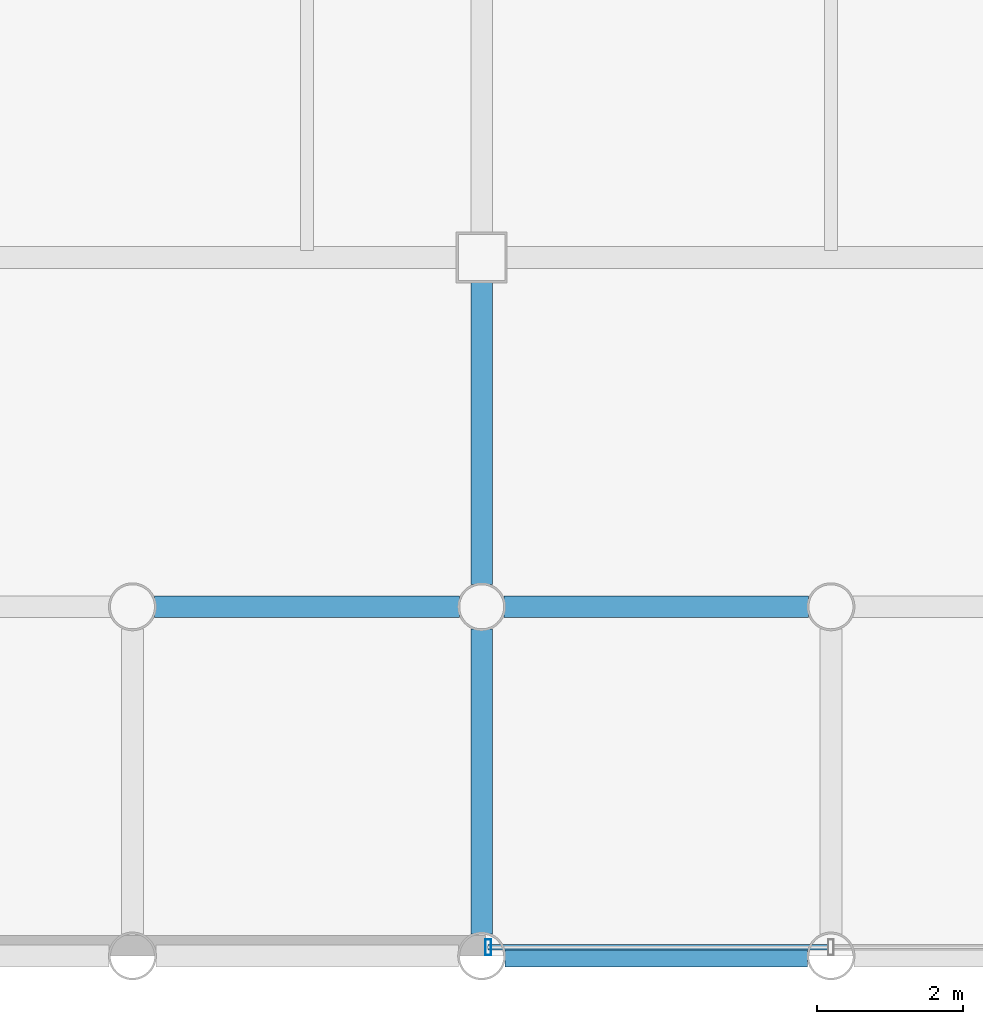
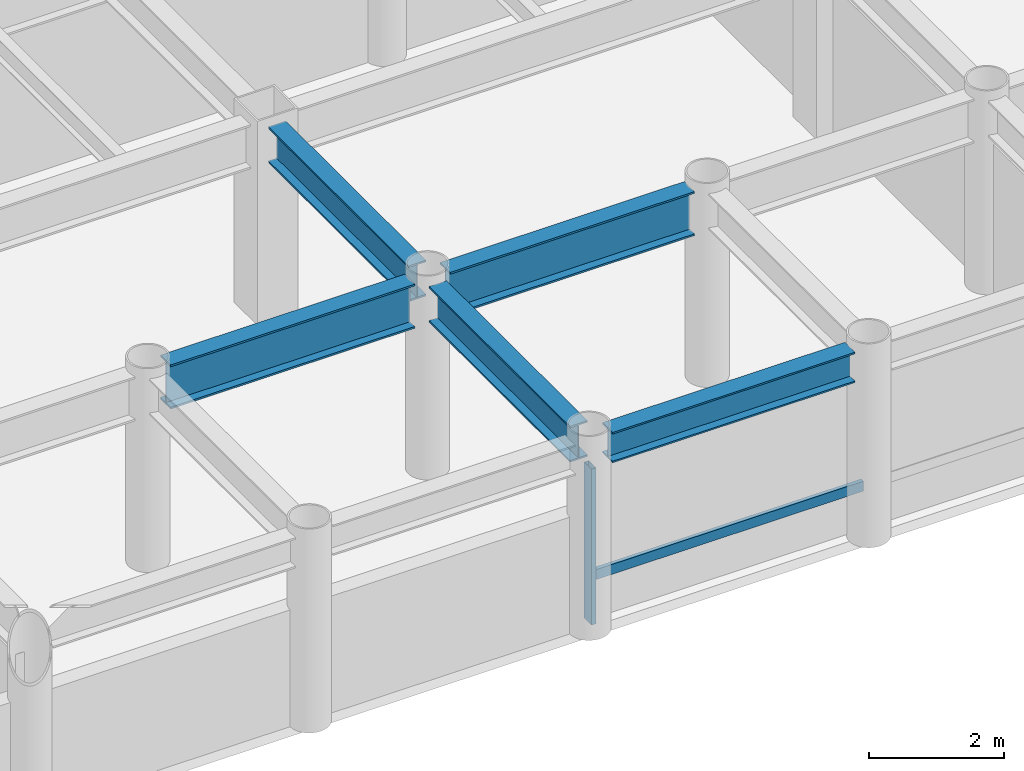
# One storey, part 2 of 19: 5 beams, 2 members, 1 element without a shape of its own.
"""IFC4 building model written with IfcOpenShell, lengths in metres."""

from ifc_helpers import new_model, si_unit, direction, frame, origin, origin_2d, place, context, subcontext, project, spatial, hollow_rectangle, i_section, extrude, material, layer, layer_set, material_profile, profile_set, type_object, element, aggregate, save


model = new_model("IFC4")

# Units and contexts
model_context = context("Model", 3, precision=1e-05, world=origin(), true_north=direction((0.0, 1.0)))
body_context = subcontext(model_context, "Body", "Model", "MODEL_VIEW")
ifc_project = project(units=[si_unit("LENGTHUNIT", "METRE"), si_unit("AREAUNIT", "SQUARE_METRE"), si_unit("VOLUMEUNIT", "CUBIC_METRE"), si_unit("PLANEANGLEUNIT", "RADIAN"), si_unit("MASSUNIT", "GRAM", prefix="KILO")], contexts=[model_context])

# Site, building, storey
site_placement = place(None, origin())
site = spatial("IfcSite", under=ifc_project, at=site_placement, CompositionType="ELEMENT")
building_placement = place(site_placement, origin())
building = spatial("IfcBuilding", under=site, at=building_placement, Name="Kallvorn Hotel Tower", CompositionType="ELEMENT")
storey_placement = place(building_placement, frame((0.0, 0.0, 165.5)))
storey = spatial("IfcBuildingStorey", under=building, at=storey_placement, Name="L41", CompositionType="ELEMENT", Elevation=165.5)

# Beams
ifc_material_1 = material(Name="Structural steel S355JR", Category="steel")
ifc_material_profile_1 = material_profile(ifc_material_1, i_section(OverallWidth=0.300048828125, OverallDepth=0.550048828125, WebThickness=0.014892578125, FlangeThickness=0.029052734375, at=origin_2d()), Name="HE 550 B")
ifc_profile_set_1 = profile_set([ifc_material_profile_1], Name="Structural steel S355JR")
beam_type_1 = type_object("IfcBeamType", Name="BM_HE550B", PredefinedType="SPANDREL", material=ifc_profile_set_1)
beam_1_placement = place(storey_placement, frame((-4.47998046875, -24.0, 3.2451171875), z_axis=(1.0, 0.0, 0.0), x_axis=(0.0, 1.0, 0.0)))
element("IfcBeam", 1, at=beam_1_placement, inside=storey, type_object=beam_type_1, Name="L42 Perimeter Spandrel 156", PredefinedType="SPANDREL", context=body_context, shape_type="SweptSolid", body=[
    extrude(i_section(OverallWidth=0.300048828125, OverallDepth=0.550048828125, WebThickness=0.014892578125, FlangeThickness=0.029052734375, at=origin_2d()), origin(), (0.0, 0.0, 1.0), 4.159912109375),
])
ifc_material_2 = material(Name="Structural steel S355JR", Category="steel")
ifc_material_profile_2 = material_profile(ifc_material_2, i_section(OverallWidth=0.300048828125, OverallDepth=0.64990234375, WebThickness=0.01611328125, FlangeThickness=0.031005859375, at=origin_2d()), Name="HE 650 B")
ifc_profile_set_2 = profile_set([ifc_material_profile_2], Name="Structural steel S355JR")
beam_type_2 = type_object("IfcBeamType", Name="BM_HE650B", PredefinedType="BEAM", material=ifc_profile_set_2)
beam_2_placement = place(storey_placement, frame((-4.800048828125, -23.695068359375, 3.195068359375), z_axis=(0.0, 1.0, 0.0), x_axis=(-1.0, 0.0, 0.0)))
element("IfcBeam", 2, at=beam_2_placement, inside=storey, type_object=beam_type_2, Name="L42 Primary Y-Girder 106", PredefinedType="BEAM", context=body_context, shape_type="SweptSolid", body=[
    extrude(i_section(OverallWidth=0.300048828125, OverallDepth=0.64990234375, WebThickness=0.01611328125, FlangeThickness=0.031005859375, at=origin_2d()), origin(), (0.0, 0.0, 1.0), 4.190185546875),
])
beam_3_placement = place(storey_placement, frame((-4.800048828125, -18.89501953125, 3.195068359375), z_axis=(0.0, 1.0, 0.0), x_axis=(-1.0, 0.0, 0.0)))
element("IfcBeam", 3, at=beam_3_placement, inside=storey, type_object=beam_type_2, Name="L42 Primary Y-Girder 107", PredefinedType="BEAM", context=body_context, shape_type="SweptSolid", body=[
    extrude(i_section(OverallWidth=0.300048828125, OverallDepth=0.64990234375, WebThickness=0.01611328125, FlangeThickness=0.031005859375, at=origin_2d()), origin(), (0.0, 0.0, 1.0), 4.169921875),
])
ifc_material_3 = material(Name="Structural steel S355JR", Category="steel")
ifc_material_profile_3 = material_profile(ifc_material_3, i_section(OverallWidth=0.300048828125, OverallDepth=0.800048828125, WebThickness=0.017578125, FlangeThickness=0.032958984375, at=origin_2d()), Name="HE 800 B")
ifc_profile_set_3 = profile_set([ifc_material_profile_3], Name="Structural steel S355JR")
beam_type_3 = type_object("IfcBeamType", Name="BM_HE800B", PredefinedType="BEAM", material=ifc_profile_set_3)
beam_4_placement = place(storey_placement, frame((-9.294921875, -19.199951171875, 3.1201171875), z_axis=(1.0, 0.0, 0.0), x_axis=(0.0, 1.0, 0.0)))
element("IfcBeam", 4, at=beam_4_placement, inside=storey, type_object=beam_type_3, Name="L42 Primary X-Girder 06", PredefinedType="BEAM", context=body_context, shape_type="SweptSolid", body=[
    extrude(i_section(OverallWidth=0.300048828125, OverallDepth=0.800048828125, WebThickness=0.017578125, FlangeThickness=0.032958984375, at=origin_2d()), origin(), (0.0, 0.0, 1.0), 4.18994140625),
])
beam_5_placement = place(storey_placement, frame((-4.4951171875, -19.199951171875, 3.1201171875), z_axis=(1.0, 0.0, 0.0), x_axis=(0.0, 1.0, 0.0)))
element("IfcBeam", 5, at=beam_5_placement, inside=storey, type_object=beam_type_3, Name="L42 Primary X-Girder 07", PredefinedType="BEAM", context=body_context, shape_type="SweptSolid", body=[
    extrude(i_section(OverallWidth=0.300048828125, OverallDepth=0.800048828125, WebThickness=0.017578125, FlangeThickness=0.032958984375, at=origin_2d()), origin(), (0.0, 0.0, 1.0), 4.190185546875),
])

# Curtain wall, members
ifc_material_4 = material(Name="Thermally broken black-anodised aluminium AA 6063-T6", Category="aluminium")
ifc_layer = layer(ifc_material_4, 0.2099609375)
ifc_layer_set = layer_set([ifc_layer], Name="CW_SYS_4_HOTEL_MID")
curtain_wall_type = type_object("IfcCurtainWallType", Name="CW_SYS_4_HOTEL_MID", PredefinedType="USERDEFINED", material=ifc_layer_set)
curtain_wall_placement = place(storey_placement, origin())
curtain_wall = element("IfcCurtainWall", 6, at=curtain_wall_placement, inside=storey, type_object=curtain_wall_type, Name="L41 Dark-Glass Curtain Wall CW-L41-SC", ObjectType="UNITISED CURTAIN WALL", PredefinedType="USERDEFINED")
ifc_material_5 = material(Name="Thermally broken black-anodised aluminium AA 6063-T6", Category="aluminium")
ifc_material_profile_4 = material_profile(ifc_material_5, hollow_rectangle(XDim=0.080078125, YDim=0.219970703125, WallThickness=0.0048828125, at=origin_2d()), Name="MUL 220x80")
ifc_profile_set_4 = profile_set([ifc_material_profile_4], Name="Thermally broken black-anodised aluminium AA 6063-T6")
member_type_1 = type_object("IfcMemberType", Name="CW_MULLION_220x80", PredefinedType="MULLION", material=ifc_profile_set_4)
member_1_placement = place(storey_placement, frame((-4.7099609375, -23.8798828125, 0.02001953125), z_axis=(0.0, 0.0, 1.0), x_axis=(1.0, 0.0, 0.0)))
member_1 = element("IfcMember", 7, at=member_1_placement, type_object=member_type_1, Name="CW-L41-SC Mullion 00", PredefinedType="MULLION", context=body_context, shape_type="SweptSolid", body=[
    extrude(hollow_rectangle(XDim=0.080078125, YDim=0.219970703125, WallThickness=0.0048828125, at=origin_2d()), origin(), (0.0, 0.0, 1.0), 2.830078125),
])
ifc_material_6 = material(Name="Thermally broken black-anodised aluminium AA 6063-T6", Category="aluminium")
ifc_material_profile_5 = material_profile(ifc_material_6, hollow_rectangle(XDim=0.070068359375, YDim=0.179931640625, WallThickness=0.00390625, at=origin_2d()), Name="TRN 180x70")
ifc_profile_set_5 = profile_set([ifc_material_profile_5], Name="Thermally broken black-anodised aluminium AA 6063-T6")
member_type_2 = type_object("IfcMemberType", Name="CW_TRANSOM_180x70", PredefinedType="USERDEFINED", material=ifc_profile_set_5)
member_2_placement = place(storey_placement, frame((-4.7099609375, -23.8798828125, 0.85009765625), z_axis=(1.0, 0.0, 0.0), x_axis=(0.0, 1.0, 0.0)))
member_2 = element("IfcMember", 8, at=member_2_placement, type_object=member_type_2, Name="CW-L41-SC Transom 00M", ObjectType="TRANSOM", PredefinedType="USERDEFINED", context=body_context, shape_type="SweptSolid", body=[
    extrude(hollow_rectangle(XDim=0.070068359375, YDim=0.179931640625, WallThickness=0.00390625, at=origin_2d()), origin(), (0.0, 0.0, 1.0), 4.669921875),
])
aggregate(curtain_wall, [member_1, member_2])

save(model, "model.ifc")
